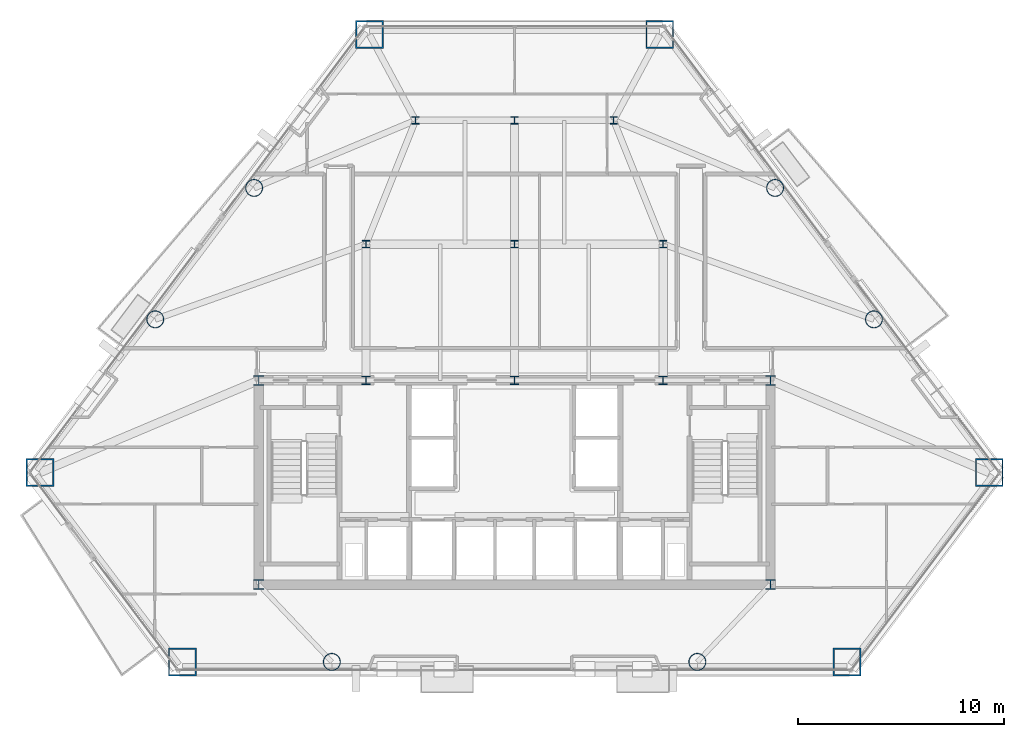
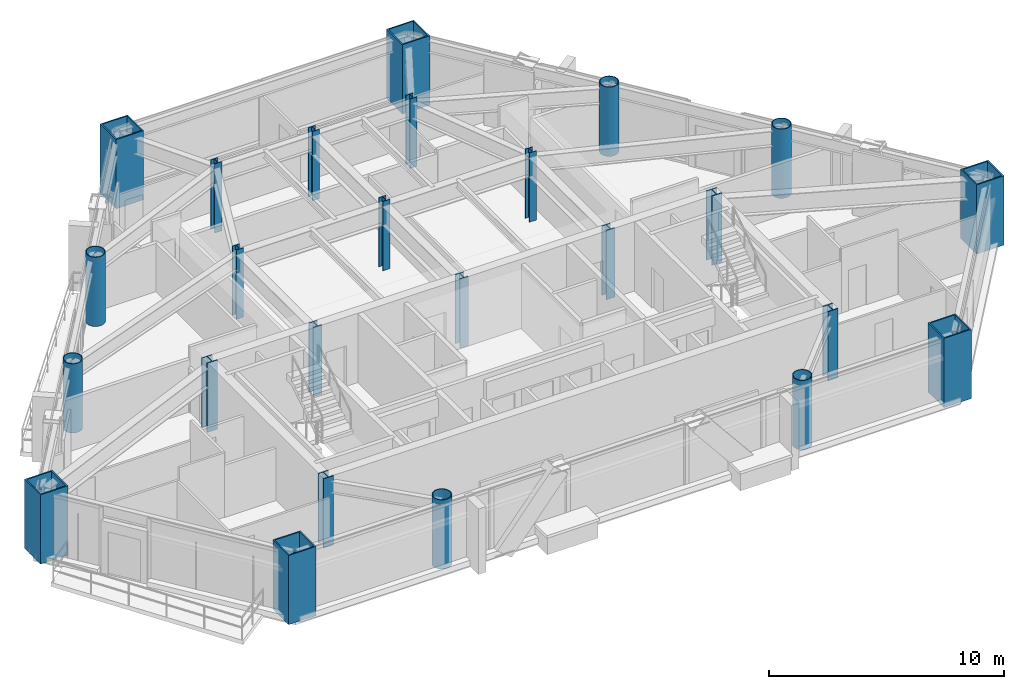
# One storey, part 1 of 11: 25 columns.
"""IFC4 building model written with IfcOpenShell, lengths in metres."""

from ifc_helpers import new_model, si_unit, direction, frame, origin, origin_2d, place, context, subcontext, project, spatial, hollow_rectangle, hollow_circle, i_section, extrude, material, material_profile, profile_set, type_object, element, save


model = new_model("IFC4")

# Units and contexts
model_context = context("Model", 3, precision=1e-05, world=origin(), true_north=direction((0.0, 1.0)))
body_context = subcontext(model_context, "Body", "Model", "MODEL_VIEW")
ifc_project = project(units=[si_unit("LENGTHUNIT", "METRE"), si_unit("AREAUNIT", "SQUARE_METRE"), si_unit("VOLUMEUNIT", "CUBIC_METRE"), si_unit("PLANEANGLEUNIT", "RADIAN"), si_unit("MASSUNIT", "GRAM", prefix="KILO")], contexts=[model_context])

# Site, building, storey
site_placement = place(None, origin())
site = spatial("IfcSite", under=ifc_project, at=site_placement, CompositionType="ELEMENT")
building_placement = place(site_placement, origin())
building = spatial("IfcBuilding", under=site, at=building_placement, Name="Talgorran Terracotta Tower", CompositionType="ELEMENT")
storey_placement = place(building_placement, frame((0.0, 0.0, 68.39990234375)))
storey = spatial("IfcBuildingStorey", under=building, at=storey_placement, Name="L17", CompositionType="ELEMENT", Elevation=68.39990234375)

# Columns
ifc_material_1 = material(Name="Steel S355 (300PLUS)", Category="steel")
ifc_material_profile_1 = material_profile(ifc_material_1, i_section(OverallWidth=0.35009765625, OverallDepth=0.366943359375, WebThickness=0.02490234375, FlangeThickness=0.031982421875, at=origin_2d()), Name="350WC258")
ifc_profile_set_1 = profile_set([ifc_material_profile_1], Name="Steel S355 (300PLUS)")
column_type_1 = type_object("IfcColumnType", Name="COL_350WC258", PredefinedType="COLUMN", material=ifc_profile_set_1)
for number, where, z_axis, x_axis, name in (
    (1, (-7.199951171875, 2.39990234375, 0.0), (0.0, 0.0, 1.0), (1.0, 0.0, 0.0), "L17 Interior Gravity Column IC1"),
    (2, (0.0, 2.39990234375, 0.0), (0.0, 0.0, 1.0), (1.0, 0.0, 0.0), "L17 Interior Gravity Column IC2"),
    (3, (7.199951171875, 2.39990234375, 0.0), (0.0, 0.0, 1.0), (1.0, 0.0, 0.0), "L17 Interior Gravity Column IC3"),
    (4, (-4.800048828125, 8.39990234375, 0.0), (0.0, 0.0, 1.0), (1.0, 0.0, 0.0), "L17 Interior Gravity Column IC4"),
    (5, (0.0, 8.39990234375, 0.0), (0.0, 0.0, 1.0), (1.0, 0.0, 0.0), "L17 Interior Gravity Column IC5"),
    (6, (4.800048828125, 8.39990234375, 0.0), (0.0, 0.0, 1.0), (1.0, 0.0, 0.0), "L17 Interior Gravity Column IC6"),
):
    element("IfcColumn", number, at=place(storey_placement, frame(where, z_axis=z_axis, x_axis=x_axis)), inside=storey, type_object=column_type_1, Name=name, PredefinedType="COLUMN", context=body_context, shape_type="SweptSolid", body=[
        extrude(i_section(OverallWidth=0.35009765625, OverallDepth=0.366943359375, WebThickness=0.02490234375, FlangeThickness=0.031982421875, at=origin_2d()), origin(), (0.0, 0.0, 1.0), 3.60009765625),
    ])
ifc_material_profile_2 = material_profile(ifc_material_1, i_section(OverallWidth=0.5, OverallDepth=0.48193359375, WebThickness=0.0400390625, FlangeThickness=0.044921875, at=origin_2d()), Name="500WC440")
ifc_profile_set_2 = profile_set([ifc_material_profile_2], Name="Steel S355 (300PLUS)")
column_type_2 = type_object("IfcColumnType", Name="COL_500WC440", PredefinedType="COLUMN", material=ifc_profile_set_2)
for number, where, z_axis, x_axis, name in (
    (7, (-12.39990234375, -14.10009765625, 0.0), (0.0, 0.0, 1.0), (1.0, 0.0, 0.0), "L17 Core Boundary Column CC1"),
    (8, (12.39990234375, -14.10009765625, 0.0), (0.0, 0.0, 1.0), (1.0, 0.0, 0.0), "L17 Core Boundary Column CC2"),
    (9, (12.39990234375, -4.199951171875, 0.0), (0.0, 0.0, 1.0), (1.0, 0.0, 0.0), "L17 Core Boundary Column CC3"),
    (10, (-12.39990234375, -4.199951171875, 0.0), (0.0, 0.0, 1.0), (1.0, 0.0, 0.0), "L17 Core Boundary Column CC4"),
):
    element("IfcColumn", number, at=place(storey_placement, frame(where, z_axis=z_axis, x_axis=x_axis)), inside=storey, type_object=column_type_2, Name=name, PredefinedType="COLUMN", context=body_context, shape_type="SweptSolid", body=[
        extrude(i_section(OverallWidth=0.5, OverallDepth=0.48193359375, WebThickness=0.0400390625, FlangeThickness=0.044921875, at=origin_2d()), origin(), (0.0, 0.0, 1.0), 3.60009765625),
    ])
ifc_material_2 = material(Name="Steel Grade 350 (350L0)", Category="steel")
ifc_material_profile_3 = material_profile(ifc_material_2, hollow_rectangle(XDim=1.35009765625, YDim=1.35009765625, WallThickness=0.06494140625, at=origin_2d()), Name="CFT1350X1350X65")
ifc_profile_set_3 = profile_set([ifc_material_profile_3], Name="Steel Grade 350 (350L0)")
column_type_3 = type_object("IfcColumnType", Name="COL_CFT_1350", PredefinedType="COLUMN", material=ifc_profile_set_3)
for number, where, z_axis, x_axis, name in (
    (11, (-23.005126953125, -8.6728515625, 0.0), (0.0, 0.0, 1.0), (1.0, 0.0, 0.0), "L17 Corner CFT Mega-Column MC1"),
    (12, (-16.1025390625, -17.8466796875, 0.0), (0.0, 0.0, 1.0), (1.0, 0.0, 0.0), "L17 Corner CFT Mega-Column MC2"),
    (13, (16.1025390625, -17.8466796875, 0.0), (0.0, 0.0, 1.0), (1.0, 0.0, 0.0), "L17 Corner CFT Mega-Column MC3"),
    (14, (23.005126953125, -8.6728515625, 0.0), (0.0, 0.0, 1.0), (1.0, 0.0, 0.0), "L17 Corner CFT Mega-Column MC4"),
    (15, (7.034423828125, 12.552734375, 0.0), (0.0, 0.0, 1.0), (1.0, 0.0, 0.0), "L17 Corner CFT Mega-Column MC5"),
    (16, (-7.034423828125, 12.552734375, 0.0), (0.0, 0.0, 1.0), (1.0, 0.0, 0.0), "L17 Corner CFT Mega-Column MC6"),
):
    element("IfcColumn", number, at=place(storey_placement, frame(where, z_axis=z_axis, x_axis=x_axis)), inside=storey, type_object=column_type_3, Name=name, PredefinedType="COLUMN", context=body_context, shape_type="SweptSolid", body=[
        extrude(hollow_rectangle(XDim=1.35009765625, YDim=1.35009765625, WallThickness=0.06494140625, at=origin_2d()), origin(), (0.0, 0.0, 1.0), 3.60009765625),
    ])
ifc_material_profile_4 = material_profile(ifc_material_2, hollow_circle(Radius=0.425048828125, WallThickness=0.0380859375, at=origin_2d()), Name="CHS850X38")
ifc_profile_set_4 = profile_set([ifc_material_profile_4], Name="Steel Grade 350 (350L0)")
column_type_4 = type_object("IfcColumnType", Name="COL_CHS_850", PredefinedType="COLUMN", material=ifc_profile_set_4)
for number, where, z_axis, x_axis, name in (
    (17, (-8.8564453125, -17.8466796875, 0.0), (0.0, 0.0, 1.0), (1.0, 0.0, 0.0), "L17 Facet Perimeter Column FC1"),
    (18, (8.8564453125, -17.8466796875, 0.0), (0.0, 0.0, 1.0), (1.0, 0.0, 0.0), "L17 Facet Perimeter Column FC2"),
    (19, (17.41552734375, -1.243896484375, 0.0), (0.0, 0.0, 1.0), (1.0, 0.0, 0.0), "L17 Facet Perimeter Column FC3"),
    (20, (12.624267578125, 5.123779296875, 0.0), (0.0, 0.0, 1.0), (1.0, 0.0, 0.0), "L17 Facet Perimeter Column FC4"),
    (21, (-12.624267578125, 5.123779296875, 0.0), (0.0, 0.0, 1.0), (1.0, 0.0, 0.0), "L17 Facet Perimeter Column FC5"),
    (22, (-17.41552734375, -1.243896484375, 0.0), (0.0, 0.0, 1.0), (1.0, 0.0, 0.0), "L17 Facet Perimeter Column FC6"),
):
    element("IfcColumn", number, at=place(storey_placement, frame(where, z_axis=z_axis, x_axis=x_axis)), inside=storey, type_object=column_type_4, Name=name, PredefinedType="COLUMN", context=body_context, shape_type="SweptSolid", body=[
        extrude(hollow_circle(Radius=0.425048828125, WallThickness=0.0380859375, at=origin_2d()), origin(), (0.0, 0.0, 1.0), 3.60009765625),
    ])
ifc_material_profile_5 = material_profile(ifc_material_1, i_section(OverallWidth=0.405029296875, OverallDepth=0.4140625, WebThickness=0.02197265625, FlangeThickness=0.031982421875, at=origin_2d()), Name="400WC270")
ifc_profile_set_5 = profile_set([ifc_material_profile_5], Name="Steel S355 (300PLUS)")
column_type_5 = type_object("IfcColumnType", Name="COL_PIL_400WC270", PredefinedType="PILASTER", material=ifc_profile_set_5)
for number, where, z_axis, x_axis, name in (
    (23, (-7.199951171875, -4.199951171875, 0.0), (0.0, 0.0, 1.0), (1.0, 0.0, 0.0), "L17 Core Shear Pilaster CP1"),
    (24, (0.0, -4.199951171875, 0.0), (0.0, 0.0, 1.0), (1.0, 0.0, 0.0), "L17 Core Shear Pilaster CP2"),
    (25, (7.199951171875, -4.199951171875, 0.0), (0.0, 0.0, 1.0), (1.0, 0.0, 0.0), "L17 Core Shear Pilaster CP3"),
):
    element("IfcColumn", number, at=place(storey_placement, frame(where, z_axis=z_axis, x_axis=x_axis)), inside=storey, type_object=column_type_5, Name=name, PredefinedType="PILASTER", context=body_context, shape_type="SweptSolid", body=[
        extrude(i_section(OverallWidth=0.405029296875, OverallDepth=0.4140625, WebThickness=0.02197265625, FlangeThickness=0.031982421875, at=origin_2d()), origin(), (0.0, 0.0, 1.0), 3.60009765625),
    ])

save(model, "model.ifc")
